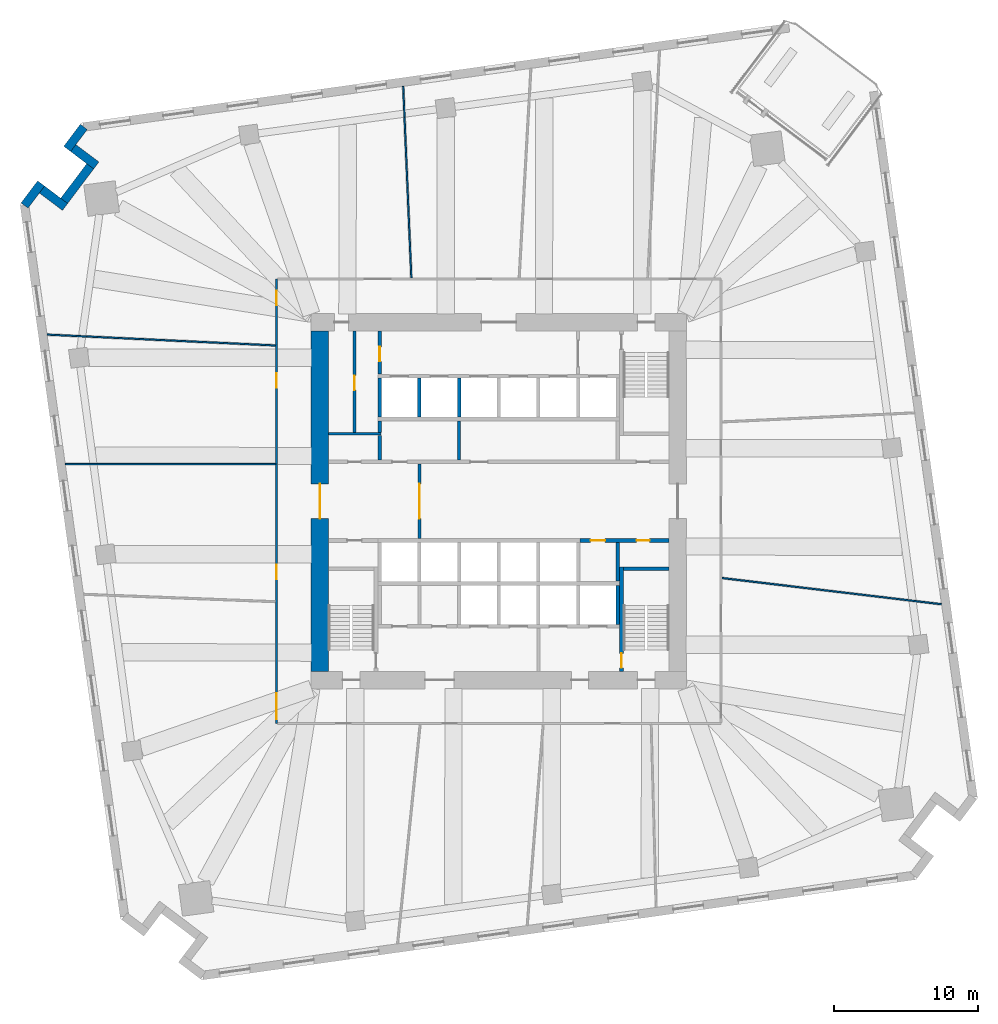
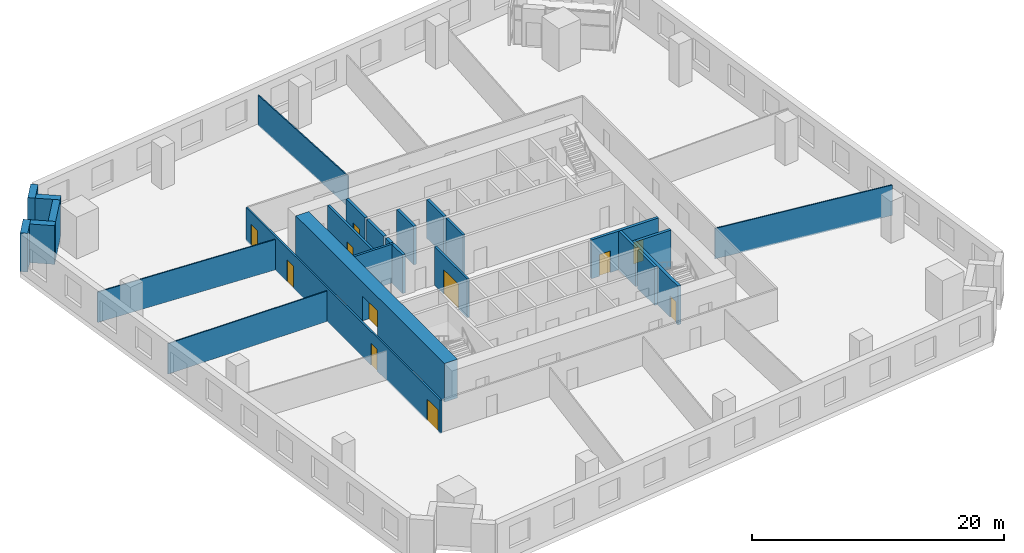
# One storey, part 7 of 12: 26 walls, 11 doors, 11 openings.
"""IFC4 building model written with IfcOpenShell, lengths in metres."""

import ifcopenshell
import ifcopenshell.guid

model = None  # the IFC model being written
_history = None  # IfcOwnerHistory: only IFC2X3 demands one
_inside = {}  # id of a spatial element -> (the spatial element, [elements in it])
_under = {}  # id of a project, library or spatial element -> (it, [spatial elements below it])
_declared = {}  # id of a project -> (the project, [libraries it declares])
_typed = {}  # id of a type object -> (the type object, [elements of that type])
_made_of = {}  # id of a material, layer set ... -> (it, [elements and type objects made of it])


def new_model(schema):
    """Start an empty IFC model of exactly this schema.

    Asked for "IFC4X3", IfcOpenShell would pick the latest addendum, in which some entities
    have other attributes; the version numbers below select the first issue.
    IFC2X3 requires an IfcOwnerHistory on every rooted entity: one is made here for all.
    """
    global model, _history
    if schema == "IFC4X3":
        model = ifcopenshell.file(schema_version=(4, 3, 0, 0))
    else:
        model = ifcopenshell.file(schema=schema)
    _inside.clear()
    _under.clear()
    _declared.clear()
    _typed.clear()
    _made_of.clear()
    _history = None
    if model.schema == "IFC2X3":
        org = make("IfcOrganization", Name="unknown")
        user = make(
            "IfcPersonAndOrganization",
            ThePerson=make("IfcPerson", FamilyName="unknown"),
            TheOrganization=org,
        )
        app = make(
            "IfcApplication",
            ApplicationDeveloper=org,
            Version="unknown",
            ApplicationFullName="unknown",
            ApplicationIdentifier="unknown",
        )
        _history = make(
            "IfcOwnerHistory",
            OwningUser=user,
            OwningApplication=app,
            ChangeAction="ADDED",
            CreationDate=0,
        )
    return model


def make(cls, **values):
    """One entity of the class cls with the attributes given. An attribute that is None is left unset."""
    return model.create_entity(
        cls, **{name: value for name, value in values.items() if value is not None}
    )


def rooted(cls, **values):
    """An entity with a GlobalId (a new one), such as an element, a storey or a relation."""
    return make(cls, GlobalId=ifcopenshell.guid.new(), OwnerHistory=_history, **values)


def si_unit(unit_type, name, prefix=None):
    """IfcSIUnit, for example si_unit("LENGTHUNIT", "METRE", prefix="MILLI")."""
    return make("IfcSIUnit", UnitType=unit_type, Prefix=prefix, Name=name)


def assignment(units):
    """IfcUnitAssignment: the units of a project."""
    return None if units is None else make("IfcUnitAssignment", Units=units)


def point(xyz):
    """IfcCartesianPoint."""
    return None if xyz is None else make("IfcCartesianPoint", Coordinates=xyz)


def direction(xyz):
    """IfcDirection."""
    return None if xyz is None else make("IfcDirection", DirectionRatios=xyz)


def frame(location, z_axis=None, x_axis=None):
    """IfcAxis2Placement3D, a coordinate frame: its origin and axes. An axis left out is left unset."""
    return make(
        "IfcAxis2Placement3D",
        Location=point(location),
        Axis=direction(z_axis),
        RefDirection=direction(x_axis),
    )


def frame_2d(location, x_axis=None):
    """IfcAxis2Placement2D, a coordinate frame in the plane: its origin and x axis."""
    return make(
        "IfcAxis2Placement2D", Location=point(location), RefDirection=direction(x_axis)
    )


def origin():
    """The frame at (0, 0, 0) with its axes left unset."""
    return frame((0.0, 0.0, 0.0))


def place(relative_to, where):
    """IfcLocalPlacement: puts the frame where relative to a parent placement (None: the world)."""
    return make(
        "IfcLocalPlacement", PlacementRelTo=relative_to, RelativePlacement=where
    )


def context(
    kind, dimensions, precision=None, world=None, true_north=None, identifier=None
):
    """IfcGeometricRepresentationContext, for example the 3D "Model" context."""
    return make(
        "IfcGeometricRepresentationContext",
        ContextIdentifier=identifier,
        ContextType=kind,
        CoordinateSpaceDimension=dimensions,
        Precision=precision,
        WorldCoordinateSystem=world,
        TrueNorth=true_north,
    )


def subcontext(parent, identifier, kind, view, scale=None):
    """IfcGeometricRepresentationSubContext, for example "Body" below "Model"."""
    return make(
        "IfcGeometricRepresentationSubContext",
        ContextIdentifier=identifier,
        ContextType=kind,
        ParentContext=parent,
        TargetScale=scale,
        TargetView=view,
    )


def project(units=None, contexts=None):
    """IfcProject with its units and contexts."""
    return rooted(
        "IfcProject",
        Name="project",
        RepresentationContexts=contexts,
        UnitsInContext=assignment(units),
    )


def spatial(cls, under=None, at=None, **own):
    """A site, building, storey or space (cls), placed at a placement, below another one or the project."""
    s = rooted(cls, ObjectPlacement=at, **own)
    if under is not None:
        _under.setdefault(under.id(), (under, []))[1].append(s)
    return s


def profile(cls, at=None, kind="AREA", **sizes):
    """A parametric profile (cls). Its sizes go by their IFC names, for example OverallWidth=200.0."""
    return make(cls, ProfileType=kind, Position=at, **sizes)


def rectangle(**sizes):
    """IfcRectangleProfileDef."""
    return profile("IfcRectangleProfileDef", **sizes)


def extrude(swept, where, along, depth):
    """IfcExtrudedAreaSolid: the profile swept, set in the frame where, extruded along a direction by depth."""
    return make(
        "IfcExtrudedAreaSolid",
        SweptArea=swept,
        Position=where,
        ExtrudedDirection=direction(along),
        Depth=depth,
    )


def shape(context_of_items, identifier, shape_type, items):
    """IfcShapeRepresentation: the items that make up one representation, for example the "Body"."""
    return make(
        "IfcShapeRepresentation",
        ContextOfItems=context_of_items,
        RepresentationIdentifier=identifier,
        RepresentationType=shape_type,
        Items=items,
    )


def material(Name=None, Category=None):
    """IfcMaterial."""
    return make("IfcMaterial", Name=Name, Category=Category)


def layer(
    of_material, thickness, ventilated=None, Name=None, Category=None, Priority=None
):
    """IfcMaterialLayer: one layer of a wall or slab, of a material (None: an air gap)."""
    return make(
        "IfcMaterialLayer",
        Material=of_material,
        LayerThickness=thickness,
        IsVentilated=ventilated,
        Name=Name,
        Category=Category,
        Priority=Priority,
    )


def layer_set(layers, Name=None):
    """IfcMaterialLayerSet."""
    return make("IfcMaterialLayerSet", MaterialLayers=layers, LayerSetName=Name)


def made_of(thing, what):
    """Note that an element or type object is made of a material, layer set ...; save() writes the relation."""
    if what is not None:
        _made_of.setdefault(what.id(), (what, []))[1].append(thing)
    return thing


def type_object(cls, material=None, **own):
    """A type object (cls), such as IfcWallType, which elements share."""
    return made_of(rooted(cls, **own), material)


def element(
    cls,
    number,
    at=None,
    inside=None,
    cuts=None,
    type_object=None,
    material=None,
    context=None,
    identifier="Body",
    shape_type=None,
    held_by="IfcProductDefinitionShape",
    body=None,
    shapes=None,
    **own,
):
    """One element of the class cls, such as IfcWall. Its Tag is "e" and its number.

    at: its placement. inside: the storey or other place that contains it. cuts: it is an
    opening in that element (IfcRelVoidsElement). A single representation is given by context,
    identifier, shape_type and body (its items); several are given by shapes. held_by: the class
    of the entity that holds the representations. save() writes the other relations.
    """
    e = rooted(cls, Tag="e%d" % number, ObjectPlacement=at, **own)
    if body is not None:
        shapes = [shape(context, identifier, shape_type, body)]
    if shapes is not None:
        e.Representation = make(held_by, Representations=shapes)
    if inside is not None:
        _inside.setdefault(inside.id(), (inside, []))[1].append(e)
    if cuts is not None:
        rooted(
            "IfcRelVoidsElement", RelatingBuildingElement=cuts, RelatedOpeningElement=e
        )
    if type_object is not None:
        _typed.setdefault(type_object.id(), (type_object, []))[1].append(e)
    return made_of(e, material)


def fill(opening, filler):
    """IfcRelFillsElement: the door or window that sits in an opening."""
    return rooted(
        "IfcRelFillsElement",
        RelatingOpeningElement=opening,
        RelatedBuildingElement=filler,
    )


def aggregate(whole, parts):
    """IfcRelAggregates: a whole, such as a stair, and the parts it consists of."""
    return rooted("IfcRelAggregates", RelatingObject=whole, RelatedObjects=parts)


def save(model, path):
    """Write the relations noted so far, then the file.

    IfcRelAggregates (storeys below a building ...), IfcRelContainedInSpatialStructure (elements
    in a storey), IfcRelDefinesByType, IfcRelAssociatesMaterial and IfcRelDeclares: one each for
    every whole, place, type object, material and project.
    """
    for whole, parts in _under.values():
        aggregate(whole, parts)
    for where, things in _inside.values():
        rooted(
            "IfcRelContainedInSpatialStructure",
            RelatedElements=things,
            RelatingStructure=where,
        )
    for kind, things in _typed.values():
        rooted("IfcRelDefinesByType", RelatedObjects=things, RelatingType=kind)
    for what, things in _made_of.values():
        rooted("IfcRelAssociatesMaterial", RelatedObjects=things, RelatingMaterial=what)
    for by, libraries in _declared.values():
        rooted("IfcRelDeclares", RelatingContext=by, RelatedDefinitions=libraries)
    model.write(path)


model = new_model("IFC4")

# Units and contexts
model_context = context("Model", 3, precision=1e-05, world=origin(), true_north=direction((0.0, 1.0)))
body_context = subcontext(model_context, "Body", "Model", "MODEL_VIEW")
ifc_project = project(units=[si_unit("LENGTHUNIT", "METRE"), si_unit("AREAUNIT", "SQUARE_METRE"), si_unit("VOLUMEUNIT", "CUBIC_METRE"), si_unit("PLANEANGLEUNIT", "RADIAN"), si_unit("MASSUNIT", "GRAM", prefix="KILO")], contexts=[model_context])

# Site, building, storey
site_placement = place(None, origin())
site = spatial("IfcSite", under=ifc_project, at=site_placement, CompositionType="ELEMENT")
building_placement = place(site_placement, origin())
building = spatial("IfcBuilding", under=site, at=building_placement, Name="Dilmun Exchange Tower", CompositionType="ELEMENT")
storey_placement = place(building_placement, frame((0.0, 0.0, 51.300048828125)))
storey = spatial("IfcBuildingStorey", under=building, at=storey_placement, Name="L11", CompositionType="ELEMENT", Elevation=51.300048828125)

# Wall, opening, door
ifc_material_1 = material(Name="Concrete C40/50", Category="concrete")
ifc_layer_1 = layer(ifc_material_1, 0.199951171875)
ifc_layer_set_1 = layer_set([ifc_layer_1], Name="Concrete C40/50")
wall_type_1 = type_object("IfcWallType", Name="Core partition wall 200", PredefinedType="PARTITIONING", material=ifc_layer_set_1)
wall_1_placement = place(storey_placement, frame((-5.5, -2.594970703125, 0.0), z_axis=(0.0, 0.0, 1.0), x_axis=(0.0, 1.0, 0.0)))
wall_1 = element("IfcWall", 1, at=wall_1_placement, inside=storey, type_object=wall_type_1, Name="L11 core partition wall 08", PredefinedType="PARTITIONING", context=body_context, shape_type="SweptSolid", body=[
    extrude(rectangle(XDim=5.18994140625, YDim=0.199951171875, at=frame_2d((2.594970703125, 0.0))), origin(), (0.0, 0.0, 1.0), 3.75),
])
opening_1_placement = place(wall_1_placement, frame((1.39501953125, 0.0, 0.0)))
opening_1 = element("IfcOpeningElement", 2, at=opening_1_placement, cuts=wall_1, Name="Opening CD1", PredefinedType="OPENING", context=body_context, shape_type="SweptSolid", body=[
    extrude(rectangle(XDim=2.39990234375, YDim=2.39990234375, at=frame_2d((1.199951171875, 1.199951171875))), frame((0.0, 0.10986328125, 0.0), z_axis=(0.0, -1.0, 0.0), x_axis=(1.0, 0.0, 0.0)), (0.0, 0.0, 1.0), 0.219970703125),
])
ifc_material_2 = material(Name="Fire-rated steel door set", Category="steel")
door_type_1 = type_object("IfcDoorType", Name="Core lobby door 2400x2400", OperationType="DOUBLE_DOOR_DOUBLE_SWING", PredefinedType="DOOR", material=ifc_material_2)
door_1_placement = place(opening_1_placement, origin())
door_1 = element("IfcDoor", 3, at=door_1_placement, inside=storey, type_object=door_type_1, Name="L11 door Lift lobby east", OperationType="DOUBLE_DOOR_DOUBLE_SWING", OverallHeight=2.39990234375, OverallWidth=2.39990234375, PredefinedType="DOOR", context=body_context, shape_type="SweptSolid", body=[
    extrude(rectangle(XDim=2.39990234375, YDim=2.39990234375, at=frame_2d((1.199951171875, 1.199951171875))), frame((0.0, 0.02490234375, 0.0), z_axis=(0.0, -1.0, 0.0), x_axis=(1.0, 0.0, 0.0)), (0.0, 0.0, 1.0), 0.050048828125),
])
fill(opening_1, door_1)

# Walls
wall_2_placement = place(storey_placement, frame((-2.75, 2.85498046875, 0.0), z_axis=(0.0, 0.0, 1.0), x_axis=(0.0, 1.0, 0.0)))
element("IfcWall", 4, at=wall_2_placement, inside=storey, type_object=wall_type_1, Name="L11 core partition wall 11", PredefinedType="PARTITIONING", context=body_context, shape_type="SweptSolid", body=[
    extrude(rectangle(XDim=2.68994140625, YDim=0.199951171875, at=frame_2d((1.344970703125, 0.0))), origin(), (0.0, 0.0, 1.0), 3.75),
])
wall_3_placement = place(storey_placement, frame((-11.794921875, 4.675048828125, 0.0), z_axis=(0.0, 0.0, 1.0), x_axis=(1.0, 0.0, 0.0)))
element("IfcWall", 5, at=wall_3_placement, inside=storey, type_object=wall_type_1, Name="L11 core partition wall 13", PredefinedType="PARTITIONING", context=body_context, shape_type="SweptSolid", body=[
    extrude(rectangle(XDim=3.64501953125, YDim=0.199951171875, at=frame_2d((1.822509765625, 0.0))), origin(), (0.0, 0.0, 1.0), 3.75),
])

# Wall, opening, door
wall_4_placement = place(storey_placement, frame((-10.0, 4.780029296875, 0.0), z_axis=(0.0, 0.0, 1.0), x_axis=(0.0, 1.0, 0.0)))
wall_4 = element("IfcWall", 6, at=wall_4_placement, inside=storey, type_object=wall_type_1, Name="L11 core partition wall 14", PredefinedType="PARTITIONING", context=body_context, shape_type="SweptSolid", body=[
    extrude(rectangle(XDim=7.014892578125, YDim=0.199951171875, at=frame_2d((3.50732421875, 0.0))), origin(), (0.0, 0.0, 1.0), 3.75),
])
opening_2_placement = place(wall_4_placement, frame((2.919921875, 0.0, 0.0)))
opening_2 = element("IfcOpeningElement", 7, at=opening_2_placement, cuts=wall_4, Name="Opening CD4", PredefinedType="OPENING", context=body_context, shape_type="SweptSolid", body=[
    extrude(rectangle(XDim=1.0, YDim=2.10009765625, at=frame_2d((0.5, 1.050048828125))), frame((0.0, 0.10986328125, 0.0), z_axis=(0.0, -1.0, 0.0), x_axis=(1.0, 0.0, 0.0)), (0.0, 0.0, 1.0), 0.219970703125),
])
door_type_2 = type_object("IfcDoorType", Name="Core room door 1000x2100", OperationType="SINGLE_SWING_LEFT", PredefinedType="DOOR", material=ifc_material_2)
door_2_placement = place(opening_2_placement, origin())
door_2 = element("IfcDoor", 8, at=door_2_placement, inside=storey, type_object=door_type_2, Name="L11 door Comms room", OperationType="SINGLE_SWING_RIGHT", OverallHeight=2.10009765625, OverallWidth=1.0, PredefinedType="DOOR", context=body_context, shape_type="SweptSolid", body=[
    extrude(rectangle(XDim=1.0, YDim=2.10009765625, at=frame_2d((0.5, 1.050048828125))), frame((0.0, 0.02490234375, 0.0), z_axis=(0.0, -1.0, 0.0), x_axis=(1.0, 0.0, 0.0)), (0.0, 0.0, 1.0), 0.050048828125),
])
fill(opening_2, door_2)

# Wall
ifc_layer_2 = layer(ifc_material_1, 0.25)
ifc_layer_set_2 = layer_set([ifc_layer_2], Name="Concrete C40/50")
wall_type_2 = type_object("IfcWallType", Name="Core partition wall 250", PredefinedType="PARTITIONING", material=ifc_layer_set_2)
wall_5_placement = place(storey_placement, frame((8.25, -5.544921875, 0.0), z_axis=(0.0, 0.0, 1.0), x_axis=(0.0, 1.0, 0.0)))
element("IfcWall", 9, at=wall_5_placement, inside=storey, type_object=wall_type_2, Name="L11 core partition wall 05", PredefinedType="PARTITIONING", context=body_context, shape_type="SweptSolid", body=[
    extrude(rectangle(XDim=2.68994140625, YDim=0.25, at=frame_2d((1.344970703125, 0.0))), origin(), (0.0, 0.0, 1.0), 3.75),
])

# Wall, openings, doors
wall_6_placement = place(storey_placement, frame((5.6298828125, -2.72509765625, 0.0), z_axis=(0.0, 0.0, 1.0), x_axis=(1.0, 0.0, 0.0)))
wall_6 = element("IfcWall", 10, at=wall_6_placement, inside=storey, type_object=wall_type_2, Name="L11 core partition wall 07", PredefinedType="PARTITIONING", context=body_context, shape_type="SweptSolid", body=[
    extrude(rectangle(XDim=6.1650390625, YDim=0.25, at=frame_2d((3.08251953125, 0.0))), origin(), (0.0, 0.0, 1.0), 3.75),
])
opening_3_placement = place(wall_6_placement, frame((0.7451171875, 0.0, 0.0)))
opening_3 = element("IfcOpeningElement", 11, at=opening_3_placement, cuts=wall_6, Name="Opening CD4", PredefinedType="OPENING", context=body_context, shape_type="SweptSolid", body=[
    extrude(rectangle(XDim=1.0, YDim=2.10009765625, at=frame_2d((0.5, 1.050048828125))), frame((0.0, 0.135009765625, 0.0), z_axis=(0.0, -1.0, 0.0), x_axis=(1.0, 0.0, 0.0)), (0.0, 0.0, 1.0), 0.27001953125),
])
opening_4_placement = place(wall_6_placement, frame((3.919921875, 0.0, 0.0)))
opening_4 = element("IfcOpeningElement", 12, at=opening_4_placement, cuts=wall_6, Name="Opening CD6", PredefinedType="OPENING", context=body_context, shape_type="SweptSolid", body=[
    extrude(rectangle(XDim=0.89990234375, YDim=2.10009765625, at=frame_2d((0.449951171875, 1.050048828125))), frame((0.0, 0.135009765625, 0.0), z_axis=(0.0, -1.0, 0.0), x_axis=(1.0, 0.0, 0.0)), (0.0, 0.0, 1.0), 0.27001953125),
])
door_3_placement = place(opening_3_placement, origin())
door_3 = element("IfcDoor", 13, at=door_3_placement, inside=storey, type_object=door_type_2, Name="L11 door Cleaners' store", OperationType="SINGLE_SWING_RIGHT", OverallHeight=2.10009765625, OverallWidth=1.0, PredefinedType="DOOR", context=body_context, shape_type="SweptSolid", body=[
    extrude(rectangle(XDim=1.0, YDim=2.10009765625, at=frame_2d((0.5, 1.050048828125))), frame((0.0, 0.02490234375, 0.0), z_axis=(0.0, -1.0, 0.0), x_axis=(1.0, 0.0, 0.0)), (0.0, 0.0, 1.0), 0.050048828125),
])
fill(opening_3, door_3)
door_type_3 = type_object("IfcDoorType", Name="Core room door 900x2100", OperationType="SINGLE_SWING_LEFT", PredefinedType="DOOR", material=ifc_material_2)
door_4_placement = place(opening_4_placement, origin())
door_4 = element("IfcDoor", 14, at=door_4_placement, inside=storey, type_object=door_type_3, Name="L11 door Comms riser", OperationType="SINGLE_SWING_RIGHT", OverallHeight=2.10009765625, OverallWidth=0.89990234375, PredefinedType="DOOR", context=body_context, shape_type="SweptSolid", body=[
    extrude(rectangle(XDim=0.89990234375, YDim=2.10009765625, at=frame_2d((0.449951171875, 1.050048828125))), frame((0.0, 0.02490234375, 0.0), z_axis=(0.0, -1.0, 0.0), x_axis=(1.0, 0.0, 0.0)), (0.0, 0.0, 1.0), 0.050048828125),
])
fill(opening_4, door_4)

# Walls
wall_7_placement = place(storey_placement, frame((-8.25, 2.85498046875, 0.0), z_axis=(0.0, 0.0, 1.0), x_axis=(0.0, 1.0, 0.0)))
element("IfcWall", 15, at=wall_7_placement, inside=storey, type_object=wall_type_2, Name="L11 core partition wall 10", PredefinedType="PARTITIONING", context=body_context, shape_type="SweptSolid", body=[
    extrude(rectangle(XDim=1.715087890625, YDim=0.25, at=frame_2d((0.857421875, 0.0))), origin(), (0.0, 0.0, 1.0), 3.75),
])
wall_8_placement = place(storey_placement, frame((-8.25, 4.780029296875, 0.0), z_axis=(0.0, 0.0, 1.0), x_axis=(0.0, 1.0, 0.0)))
element("IfcWall", 16, at=wall_8_placement, inside=storey, type_object=wall_type_2, Name="L11 core partition wall 15", PredefinedType="PARTITIONING", context=body_context, shape_type="SweptSolid", body=[
    extrude(rectangle(XDim=0.764892578125, YDim=0.25, at=frame_2d((0.38232421875, 0.0))), origin(), (0.0, 0.0, 1.0), 3.75),
])

# Wall, opening, door
wall_9_placement = place(storey_placement, frame((-8.25, 8.804931640625, 0.0), z_axis=(0.0, 0.0, 1.0), x_axis=(0.0, 1.0, 0.0)))
wall_9 = element("IfcWall", 17, at=wall_9_placement, inside=storey, type_object=wall_type_2, Name="L11 core partition wall 16", PredefinedType="PARTITIONING", context=body_context, shape_type="SweptSolid", body=[
    extrude(rectangle(XDim=2.989990234375, YDim=0.25, at=frame_2d((1.4951171875, 0.0))), origin(), (0.0, 0.0, 1.0), 3.75),
])
opening_5_placement = place(wall_9_placement, frame((0.89501953125, 0.0, 0.0)))
opening_5 = element("IfcOpeningElement", 18, at=opening_5_placement, cuts=wall_9, Name="Opening CD4", PredefinedType="OPENING", context=body_context, shape_type="SweptSolid", body=[
    extrude(rectangle(XDim=1.0, YDim=2.10009765625, at=frame_2d((0.5, 1.050048828125))), frame((0.0, 0.135009765625, 0.0), z_axis=(0.0, -1.0, 0.0), x_axis=(1.0, 0.0, 0.0)), (0.0, 0.0, 1.0), 0.27001953125),
])
door_5_placement = place(opening_5_placement, origin())
door_5 = element("IfcDoor", 19, at=door_5_placement, inside=storey, type_object=door_type_2, Name="L11 door Security room", OperationType="SINGLE_SWING_RIGHT", OverallHeight=2.10009765625, OverallWidth=1.0, PredefinedType="DOOR", context=body_context, shape_type="SweptSolid", body=[
    extrude(rectangle(XDim=1.0, YDim=2.10009765625, at=frame_2d((0.5, 1.050048828125))), frame((0.0, 0.02490234375, 0.0), z_axis=(0.0, -1.0, 0.0), x_axis=(1.0, 0.0, 0.0)), (0.0, 0.0, 1.0), 0.050048828125),
])
fill(opening_5, door_5)

ifc_material_3 = material(Name="Concrete C80/95", Category="concrete")
ifc_layer_3 = layer(ifc_material_3, 1.199951171875)
ifc_layer_set_3 = layer_set([ifc_layer_3], Name="Concrete C80/95")
wall_type_3 = type_object("IfcWallType", Name="Core shear wall 1200 Concrete C80/95", PredefinedType="SHEAR", material=ifc_layer_set_3)
wall_10_placement = place(storey_placement, frame((-12.39990234375, -11.800048828125, 0.0), z_axis=(0.0, 0.0, 1.0), x_axis=(0.0, 1.0, 0.0)))
wall_10 = element("IfcWall", 20, at=wall_10_placement, inside=storey, type_object=wall_type_3, Name="L11 core shear wall W", PredefinedType="SHEAR", context=body_context, shape_type="SweptSolid", body=[
    extrude(rectangle(XDim=23.60009765625, YDim=1.199951171875, at=frame_2d((11.800048828125, 0.0))), origin(), (0.0, 0.0, 1.0), 3.75),
])
opening_6_placement = place(wall_10_placement, frame((10.60009765625, 0.0, 0.0)))
opening_6 = element("IfcOpeningElement", 21, at=opening_6_placement, cuts=wall_10, Name="Opening CD1", PredefinedType="OPENING", context=body_context, shape_type="SweptSolid", body=[
    extrude(rectangle(XDim=2.39990234375, YDim=2.39990234375, at=frame_2d((1.199951171875, 1.199951171875))), frame((0.0, 0.60986328125, 0.0), z_axis=(0.0, -1.0, 0.0), x_axis=(1.0, 0.0, 0.0)), (0.0, 0.0, 1.0), 1.219970703125),
])
door_6_placement = place(opening_6_placement, origin())
door_6 = element("IfcDoor", 22, at=door_6_placement, inside=storey, type_object=door_type_1, Name="L11 door Central lift lobby", OperationType="SINGLE_SWING_LEFT", OverallHeight=2.39990234375, OverallWidth=2.39990234375, PredefinedType="DOOR", context=body_context, shape_type="SweptSolid", body=[
    extrude(rectangle(XDim=2.39990234375, YDim=2.39990234375, at=frame_2d((1.199951171875, 1.199951171875))), frame((0.0, 0.02490234375, 0.0), z_axis=(0.0, -1.0, 0.0), x_axis=(1.0, 0.0, 0.0)), (0.0, 0.0, 1.0), 0.050048828125),
])
fill(opening_6, door_6)

# Wall, openings, doors
ifc_material_4 = material(Name="Corridor wall 150")
ifc_layer_4 = layer(ifc_material_4, 0.14990234375)
ifc_layer_set_4 = layer_set([ifc_layer_4], Name="Corridor wall 150")
wall_type_4 = type_object("IfcWallType", Name="Corridor wall 150", PredefinedType="PARTITIONING", material=ifc_layer_set_4)
wall_11_placement = place(storey_placement, frame((-15.39990234375, -15.39990234375, 0.0), z_axis=(0.0, 0.0, 1.0), x_axis=(0.0, 1.0, 0.0)))
wall_11 = element("IfcWall", 23, at=wall_11_placement, inside=storey, type_object=wall_type_4, Name="Corridor wall", PredefinedType="PARTITIONING", context=body_context, shape_type="SweptSolid", body=[
    extrude(rectangle(XDim=30.7998046875, YDim=0.14990234375, at=frame_2d((15.39990234375, 0.0))), origin(), (0.0, 0.0, 1.0), 3.25),
])
opening_7_placement = place(wall_11_placement, frame((23.27197265625, 0.0, 0.0)))
opening_7 = element("IfcOpeningElement", 24, at=opening_7_placement, cuts=wall_11, Name="Opening TF11-D01", PredefinedType="OPENING", context=body_context, shape_type="SweptSolid", body=[
    extrude(rectangle(XDim=1.0, YDim=2.10009765625, at=frame_2d((0.5, 1.050048828125))), frame((0.0, 0.0849609375, 0.0), z_axis=(0.0, -1.0, 0.0), x_axis=(1.0, 0.0, 0.0)), (0.0, 0.0, 1.0), 0.169921875),
])
opening_8_placement = place(wall_11_placement, frame((9.982177734375, 0.0, 0.0)))
opening_8 = element("IfcOpeningElement", 25, at=opening_8_placement, cuts=wall_11, Name="Opening TF11-D02", PredefinedType="OPENING", context=body_context, shape_type="SweptSolid", body=[
    extrude(rectangle(XDim=1.0, YDim=2.10009765625, at=frame_2d((0.5, 1.050048828125))), frame((0.0, 0.0849609375, 0.0), z_axis=(0.0, -1.0, 0.0), x_axis=(1.0, 0.0, 0.0)), (0.0, 0.0, 1.0), 0.169921875),
])
opening_9_placement = place(wall_11_placement, frame((28.993408203125, 0.0, 0.0)))
opening_9 = element("IfcOpeningElement", 26, at=opening_9_placement, cuts=wall_11, Name="Opening TF11-D04", PredefinedType="OPENING", context=body_context, shape_type="SweptSolid", body=[
    extrude(rectangle(XDim=1.0, YDim=2.10009765625, at=frame_2d((0.5, 1.050048828125))), frame((0.0, 0.0849609375, 0.0), z_axis=(0.0, -1.0, 0.0), x_axis=(1.0, 0.0, 0.0)), (0.0, 0.0, 1.0), 0.169921875),
])
opening_10_placement = place(wall_11_placement, frame((0.300048828125, 0.0, 0.0)))
opening_10 = element("IfcOpeningElement", 27, at=opening_10_placement, cuts=wall_11, Name="Opening TF11-D05", PredefinedType="OPENING", context=body_context, shape_type="SweptSolid", body=[
    extrude(rectangle(XDim=1.800048828125, YDim=2.10009765625, at=frame_2d((0.89990234375, 1.050048828125))), frame((0.0, 0.0849609375, 0.0), z_axis=(0.0, -1.0, 0.0), x_axis=(1.0, 0.0, 0.0)), (0.0, 0.0, 1.0), 0.169921875),
])
ifc_material_5 = material(Name="Fire door 1000 x 2100")
door_type_4 = type_object("IfcDoorType", Name="Fire door 1000 x 2100", OperationType="NOTDEFINED", PredefinedType="DOOR", material=ifc_material_5)
door_7_placement = place(opening_7_placement, origin())
door_7 = element("IfcDoor", 28, at=door_7_placement, inside=storey, type_object=door_type_4, Name="Door TF11-D01", OperationType="SINGLE_SWING_LEFT", OverallHeight=2.10009765625, OverallWidth=1.0, PredefinedType="DOOR", context=body_context, shape_type="SweptSolid", body=[
    extrude(rectangle(XDim=1.0, YDim=2.10009765625, at=frame_2d((0.5, 1.050048828125))), frame((0.0, 0.02490234375, 0.0), z_axis=(0.0, -1.0, 0.0), x_axis=(1.0, 0.0, 0.0)), (0.0, 0.0, 1.0), 0.050048828125),
])
fill(opening_7, door_7)
door_8_placement = place(opening_8_placement, origin())
door_8 = element("IfcDoor", 29, at=door_8_placement, inside=storey, type_object=door_type_4, Name="Door TF11-D02", OperationType="SINGLE_SWING_RIGHT", OverallHeight=2.10009765625, OverallWidth=1.0, PredefinedType="DOOR", context=body_context, shape_type="SweptSolid", body=[
    extrude(rectangle(XDim=1.0, YDim=2.10009765625, at=frame_2d((0.5, 1.050048828125))), frame((0.0, 0.02490234375, 0.0), z_axis=(0.0, -1.0, 0.0), x_axis=(1.0, 0.0, 0.0)), (0.0, 0.0, 1.0), 0.050048828125),
])
fill(opening_8, door_8)
door_9_placement = place(opening_9_placement, origin())
door_9 = element("IfcDoor", 30, at=door_9_placement, inside=storey, type_object=door_type_4, Name="Door TF11-D04", OperationType="SINGLE_SWING_LEFT", OverallHeight=2.10009765625, OverallWidth=1.0, PredefinedType="DOOR", context=body_context, shape_type="SweptSolid", body=[
    extrude(rectangle(XDim=1.0, YDim=2.10009765625, at=frame_2d((0.5, 1.050048828125))), frame((0.0, 0.02490234375, 0.0), z_axis=(0.0, -1.0, 0.0), x_axis=(1.0, 0.0, 0.0)), (0.0, 0.0, 1.0), 0.050048828125),
])
fill(opening_9, door_9)
ifc_material_6 = material(Name="Fire door pair 1800 x 2100")
door_type_5 = type_object("IfcDoorType", Name="Fire door pair 1800 x 2100", OperationType="NOTDEFINED", PredefinedType="DOOR", material=ifc_material_6)
door_10_placement = place(opening_10_placement, origin())
door_10 = element("IfcDoor", 31, at=door_10_placement, inside=storey, type_object=door_type_5, Name="Door TF11-D05", OperationType="DOUBLE_DOOR_SINGLE_SWING", OverallHeight=2.10009765625, OverallWidth=1.800048828125, PredefinedType="DOOR", context=body_context, shape_type="SweptSolid", body=[
    extrude(rectangle(XDim=1.800048828125, YDim=2.10009765625, at=frame_2d((0.89990234375, 1.050048828125))), frame((0.0, 0.02490234375, 0.0), z_axis=(0.0, -1.0, 0.0), x_axis=(1.0, 0.0, 0.0)), (0.0, 0.0, 1.0), 0.050048828125),
])
fill(opening_10, door_10)

# Walls
ifc_layer_5 = layer(ifc_material_1, 0.25)
ifc_layer_set_5 = layer_set([ifc_layer_5], Name="Concrete C40/50")
wall_type_5 = type_object("IfcWallType", Name="Lift shaft wall 250", PredefinedType="SOLIDWALL", material=ifc_layer_set_5)
for number, where, z_axis, x_axis, name in (
    (32, (-8.25, 5.85009765625, 0.0), (0.0, 0.0, 1.0), (0.0, 1.0, 0.0), "L11 lift shaft divider N20"),
    (33, (-5.5, 5.85009765625, 0.0), (0.0, 0.0, 1.0), (0.0, 1.0, 0.0), "L11 lift shaft divider N21"),
    (34, (-2.75, 5.85009765625, 0.0), (0.0, 0.0, 1.0), (0.0, 1.0, 0.0), "L11 lift shaft divider N22"),
    (35, (8.25, -8.550048828125, 0.0), (0.0, 0.0, 1.0), (0.0, 1.0, 0.0), "L11 lift shaft divider S26"),
):
    element("IfcWall", number, at=place(storey_placement, frame(where, z_axis=z_axis, x_axis=x_axis)), inside=storey, type_object=wall_type_5, Name=name, PredefinedType="SOLIDWALL", context=body_context, shape_type="SweptSolid", body=[
        extrude(rectangle(XDim=2.699951171875, YDim=0.25, at=frame_2d((1.35009765625, 0.0))), origin(), (0.0, 0.0, 1.0), 3.75),
    ])
ifc_material_7 = material(Name="Partition 100")
ifc_layer_6 = layer(ifc_material_7, 0.10009765625)
ifc_layer_set_6 = layer_set([ifc_layer_6], Name="Partition 100")
wall_type_6 = type_object("IfcWallType", Name="Partition 100", PredefinedType="PARTITIONING", material=ifc_layer_set_6)
wall_12_placement = place(storey_placement, frame((-31.31005859375, 11.5498046875, 0.0), z_axis=(0.0, 0.0, 1.0), x_axis=(0.998870436484, -0.047516850882, 0.0)))
element("IfcWall", 36, at=wall_12_placement, inside=storey, type_object=wall_type_6, Name="Partition", PredefinedType="PARTITIONING", context=body_context, shape_type="SweptSolid", body=[
    extrude(rectangle(XDim=15.8505859375, YDim=0.10009765625, at=frame_2d((7.92529296875, 0.0))), origin(), (0.0, 0.0, 1.0), 2.949951171875),
])
wall_13_placement = place(storey_placement, frame((-30.049072265625, 2.576904296875, 0.0), z_axis=(0.0, 0.0, 1.0), x_axis=(0.999999943875, -0.000335036416, 0.0)))
element("IfcWall", 37, at=wall_13_placement, inside=storey, type_object=wall_type_6, Name="Partition", PredefinedType="PARTITIONING", context=body_context, shape_type="SweptSolid", body=[
    extrude(rectangle(XDim=14.573974609375, YDim=0.10009765625, at=frame_2d((7.287109375, 0.0))), origin(), (0.0, 0.0, 1.0), 2.949951171875),
])
wall_14_placement = place(storey_placement, frame((-6.625244140625, 28.755859375, 0.0), z_axis=(0.0, 0.0, 1.0), x_axis=(0.042506133855, -0.99909620587, 0.0)))
element("IfcWall", 38, at=wall_14_placement, inside=storey, type_object=wall_type_6, Name="Partition", PredefinedType="PARTITIONING", context=body_context, shape_type="SweptSolid", body=[
    extrude(rectangle(XDim=13.290771484375, YDim=0.10009765625, at=frame_2d((6.6455078125, 0.0))), origin(), (0.0, 0.0, 1.0), 2.949951171875),
])
wall_15_placement = place(storey_placement, frame((15.48095703125, -5.32373046875, 0.0), z_axis=(0.0, 0.0, 1.0), x_axis=(0.992944104388, -0.118583327501, 0.0)))
element("IfcWall", 39, at=wall_15_placement, inside=storey, type_object=wall_type_6, Name="Partition", PredefinedType="PARTITIONING", context=body_context, shape_type="SweptSolid", body=[
    extrude(rectangle(XDim=15.317626953125, YDim=0.10009765625, at=frame_2d((7.65869140625, 0.0))), origin(), (0.0, 0.0, 1.0), 2.949951171875),
])
ifc_material_8 = material(Name="Precast concrete C50/60", Category="concrete")
ifc_layer_7 = layer(ifc_material_8, 0.60009765625)
ifc_layer_set_7 = layer_set([ifc_layer_7], Name="Precast concrete C50/60")
wall_type_7 = type_object("IfcWallType", Name="Precast stone-clad wall 600", PredefinedType="STANDARD", material=ifc_layer_set_7)
wall_16_placement = place(storey_placement, frame((-28.76708984375, 25.948974609375, 0.0), z_axis=(0.0, 0.0, 1.0), x_axis=(-0.601797104511, -0.798649012397, 0.0)))
element("IfcWall", 40, at=wall_16_placement, inside=storey, type_object=wall_type_7, Name="Facade wall L11-04", PredefinedType="STANDARD", context=body_context, shape_type="SweptSolid", body=[
    extrude(rectangle(XDim=1.9111328125, YDim=0.60009765625, at=frame_2d((0.95556640625, 0.0))), origin(), (0.0, 0.0, 1.0), 3.75),
])
wall_17_placement = place(storey_placement, frame((-29.497314453125, 24.481689453125, 0.0), z_axis=(0.0, 0.0, 1.0), x_axis=(0.798606420838, -0.601853623896, 0.0)))
element("IfcWall", 41, at=wall_17_placement, inside=storey, type_object=wall_type_7, Name="Facade wall L11-05", PredefinedType="STANDARD", context=body_context, shape_type="SweptSolid", body=[
    extrude(rectangle(XDim=2.000244140625, YDim=0.60009765625, at=frame_2d((1.0, 0.0))), origin(), (0.0, 0.0, 1.0), 3.75),
])
wall_18_placement = place(storey_placement, frame((-28.320068359375, 23.218994140625, 0.0), z_axis=(0.0, 0.0, 1.0), x_axis=(-0.601795327796, -0.798650351182, 0.0)))
element("IfcWall", 42, at=wall_18_placement, inside=storey, type_object=wall_type_7, Name="Facade wall L11-06", PredefinedType="STANDARD", context=body_context, shape_type="SweptSolid", body=[
    extrude(rectangle(XDim=3.0, YDim=0.60009765625, at=frame_2d((1.5, 0.0))), origin(), (0.0, 0.0, 1.0), 3.75),
])
wall_19_placement = place(storey_placement, frame((-30.06640625, 20.40283203125, 0.0), z_axis=(0.0, 0.0, 1.0), x_axis=(-0.798665086418, 0.601775771976, 0.0)))
element("IfcWall", 43, at=wall_19_placement, inside=storey, type_object=wall_type_7, Name="Facade wall L11-07", PredefinedType="STANDARD", context=body_context, shape_type="SweptSolid", body=[
    extrude(rectangle(XDim=2.0, YDim=0.60009765625, at=frame_2d((1.0, 0.0))), origin(), (0.0, 0.0, 1.0), 3.75),
])
wall_20_placement = place(storey_placement, frame((-31.722900390625, 22.026611328125, 0.0), z_axis=(0.0, 0.0, 1.0), x_axis=(-0.601797104511, -0.798649012397, 0.0)))
element("IfcWall", 44, at=wall_20_placement, inside=storey, type_object=wall_type_7, Name="Facade wall L11-08", PredefinedType="STANDARD", context=body_context, shape_type="SweptSolid", body=[
    extrude(rectangle(XDim=1.9111328125, YDim=0.60009765625, at=frame_2d((0.95556640625, 0.0))), origin(), (0.0, 0.0, 1.0), 3.75),
])
ifc_layer_8 = layer(ifc_material_1, 0.25)
ifc_layer_set_8 = layer_set([ifc_layer_8], Name="Concrete C40/50")
wall_type_8 = type_object("IfcWallType", Name="Stair end wall 250", PredefinedType="SOLIDWALL", material=ifc_layer_set_8)
wall_21_placement = place(storey_placement, frame((8.64990234375, -4.675048828125, 0.0), z_axis=(0.0, 0.0, 1.0), x_axis=(1.0, 0.0, 0.0)))
element("IfcWall", 45, at=wall_21_placement, inside=storey, type_object=wall_type_8, Name="L11 ST3 far wall", PredefinedType="SOLIDWALL", context=body_context, shape_type="SweptSolid", body=[
    extrude(rectangle(XDim=3.150146484375, YDim=0.25, at=frame_2d((1.5751953125, 0.0))), origin(), (0.0, 0.0, 1.0), 3.75),
])

# Wall, opening, door
ifc_layer_9 = layer(ifc_material_1, 0.27490234375)
ifc_layer_set_9 = layer_set([ifc_layer_9], Name="Concrete C40/50")
wall_type_9 = type_object("IfcWallType", Name="Stair wall 275", PredefinedType="SOLIDWALL", material=ifc_layer_set_9)
wall_22_placement = place(storey_placement, frame((8.512451171875, -4.550048828125, 0.0), z_axis=(0.0, 0.0, 1.0), x_axis=(0.0, -1.0, 0.0)))
wall_22 = element("IfcWall", 46, at=wall_22_placement, inside=storey, type_object=wall_type_9, Name="L11 ST3 wall to lift block", PredefinedType="SOLIDWALL", context=body_context, shape_type="SweptSolid", body=[
    extrude(rectangle(XDim=7.25, YDim=0.27490234375, at=frame_2d((3.625, 0.0))), origin(), (0.0, 0.0, 1.0), 3.75),
])
opening_11_placement = place(wall_22_placement, frame((6.0, 0.0, 0.0)))
opening_11 = element("IfcOpeningElement", 47, at=opening_11_placement, cuts=wall_22, Name="Opening CD4", PredefinedType="OPENING", context=body_context, shape_type="SweptSolid", body=[
    extrude(rectangle(XDim=1.0, YDim=2.10009765625, at=frame_2d((0.5, 1.050048828125))), frame((0.0, 0.1474609375, 0.0), z_axis=(0.0, -1.0, 0.0), x_axis=(1.0, 0.0, 0.0)), (0.0, 0.0, 1.0), 0.294921875),
])
door_11_placement = place(opening_11_placement, origin())
door_11 = element("IfcDoor", 48, at=door_11_placement, inside=storey, type_object=door_type_2, Name="L11 door ST3 from lobby", OperationType="SINGLE_SWING_LEFT", OverallHeight=2.10009765625, OverallWidth=1.0, PredefinedType="DOOR", context=body_context, shape_type="SweptSolid", body=[
    extrude(rectangle(XDim=1.0, YDim=2.10009765625, at=frame_2d((0.5, 1.050048828125))), frame((0.0, 0.02490234375, 0.0), z_axis=(0.0, -1.0, 0.0), x_axis=(1.0, 0.0, 0.0)), (0.0, 0.0, 1.0), 0.050048828125),
])
fill(opening_11, door_11)

save(model, "model.ifc")
